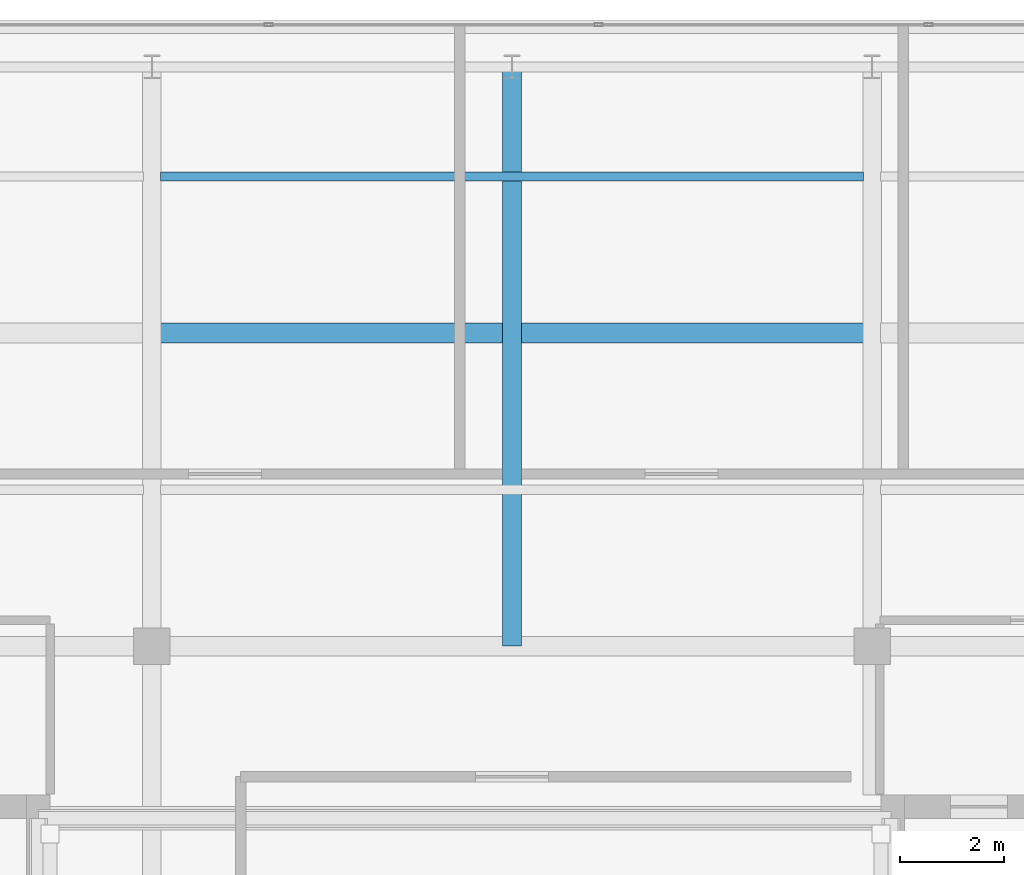
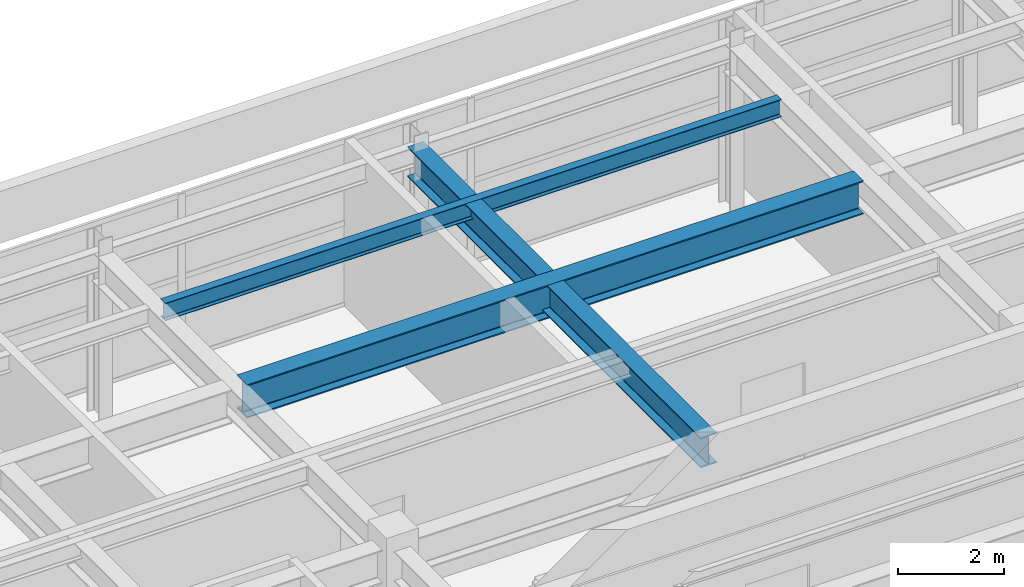
# One storey, part 24 of 33: 3 beams.
"""IFC4 building model written with IfcOpenShell, lengths in metres."""

import ifcopenshell
import ifcopenshell.guid

model = None  # the IFC model being written
_history = None  # IfcOwnerHistory: only IFC2X3 demands one
_inside = {}  # id of a spatial element -> (the spatial element, [elements in it])
_under = {}  # id of a project, library or spatial element -> (it, [spatial elements below it])
_declared = {}  # id of a project -> (the project, [libraries it declares])
_typed = {}  # id of a type object -> (the type object, [elements of that type])
_made_of = {}  # id of a material, layer set ... -> (it, [elements and type objects made of it])


def new_model(schema):
    """Start an empty IFC model of exactly this schema.

    Asked for "IFC4X3", IfcOpenShell would pick the latest addendum, in which some entities
    have other attributes; the version numbers below select the first issue.
    IFC2X3 requires an IfcOwnerHistory on every rooted entity: one is made here for all.
    """
    global model, _history
    if schema == "IFC4X3":
        model = ifcopenshell.file(schema_version=(4, 3, 0, 0))
    else:
        model = ifcopenshell.file(schema=schema)
    _inside.clear()
    _under.clear()
    _declared.clear()
    _typed.clear()
    _made_of.clear()
    _history = None
    if model.schema == "IFC2X3":
        org = make("IfcOrganization", Name="unknown")
        user = make(
            "IfcPersonAndOrganization",
            ThePerson=make("IfcPerson", FamilyName="unknown"),
            TheOrganization=org,
        )
        app = make(
            "IfcApplication",
            ApplicationDeveloper=org,
            Version="unknown",
            ApplicationFullName="unknown",
            ApplicationIdentifier="unknown",
        )
        _history = make(
            "IfcOwnerHistory",
            OwningUser=user,
            OwningApplication=app,
            ChangeAction="ADDED",
            CreationDate=0,
        )
    return model


def make(cls, **values):
    """One entity of the class cls with the attributes given. An attribute that is None is left unset."""
    return model.create_entity(
        cls, **{name: value for name, value in values.items() if value is not None}
    )


def rooted(cls, **values):
    """An entity with a GlobalId (a new one), such as an element, a storey or a relation."""
    return make(cls, GlobalId=ifcopenshell.guid.new(), OwnerHistory=_history, **values)


def si_unit(unit_type, name, prefix=None):
    """IfcSIUnit, for example si_unit("LENGTHUNIT", "METRE", prefix="MILLI")."""
    return make("IfcSIUnit", UnitType=unit_type, Prefix=prefix, Name=name)


def assignment(units):
    """IfcUnitAssignment: the units of a project."""
    return None if units is None else make("IfcUnitAssignment", Units=units)


def point(xyz):
    """IfcCartesianPoint."""
    return None if xyz is None else make("IfcCartesianPoint", Coordinates=xyz)


def direction(xyz):
    """IfcDirection."""
    return None if xyz is None else make("IfcDirection", DirectionRatios=xyz)


def frame(location, z_axis=None, x_axis=None):
    """IfcAxis2Placement3D, a coordinate frame: its origin and axes. An axis left out is left unset."""
    return make(
        "IfcAxis2Placement3D",
        Location=point(location),
        Axis=direction(z_axis),
        RefDirection=direction(x_axis),
    )


def frame_2d(location, x_axis=None):
    """IfcAxis2Placement2D, a coordinate frame in the plane: its origin and x axis."""
    return make(
        "IfcAxis2Placement2D", Location=point(location), RefDirection=direction(x_axis)
    )


def origin():
    """The frame at (0, 0, 0) with its axes left unset."""
    return frame((0.0, 0.0, 0.0))


def origin_2d():
    """The frame at (0, 0) in the plane with its x axis left unset."""
    return frame_2d((0.0, 0.0))


def place(relative_to, where):
    """IfcLocalPlacement: puts the frame where relative to a parent placement (None: the world)."""
    return make(
        "IfcLocalPlacement", PlacementRelTo=relative_to, RelativePlacement=where
    )


def context(
    kind, dimensions, precision=None, world=None, true_north=None, identifier=None
):
    """IfcGeometricRepresentationContext, for example the 3D "Model" context."""
    return make(
        "IfcGeometricRepresentationContext",
        ContextIdentifier=identifier,
        ContextType=kind,
        CoordinateSpaceDimension=dimensions,
        Precision=precision,
        WorldCoordinateSystem=world,
        TrueNorth=true_north,
    )


def subcontext(parent, identifier, kind, view, scale=None):
    """IfcGeometricRepresentationSubContext, for example "Body" below "Model"."""
    return make(
        "IfcGeometricRepresentationSubContext",
        ContextIdentifier=identifier,
        ContextType=kind,
        ParentContext=parent,
        TargetScale=scale,
        TargetView=view,
    )


def project(units=None, contexts=None):
    """IfcProject with its units and contexts."""
    return rooted(
        "IfcProject",
        Name="project",
        RepresentationContexts=contexts,
        UnitsInContext=assignment(units),
    )


def spatial(cls, under=None, at=None, **own):
    """A site, building, storey or space (cls), placed at a placement, below another one or the project."""
    s = rooted(cls, ObjectPlacement=at, **own)
    if under is not None:
        _under.setdefault(under.id(), (under, []))[1].append(s)
    return s


def profile(cls, at=None, kind="AREA", **sizes):
    """A parametric profile (cls). Its sizes go by their IFC names, for example OverallWidth=200.0."""
    return make(cls, ProfileType=kind, Position=at, **sizes)


def i_section(**sizes):
    """IfcIShapeProfileDef."""
    return profile("IfcIShapeProfileDef", **sizes)


def extrude(swept, where, along, depth):
    """IfcExtrudedAreaSolid: the profile swept, set in the frame where, extruded along a direction by depth."""
    return make(
        "IfcExtrudedAreaSolid",
        SweptArea=swept,
        Position=where,
        ExtrudedDirection=direction(along),
        Depth=depth,
    )


def shape(context_of_items, identifier, shape_type, items):
    """IfcShapeRepresentation: the items that make up one representation, for example the "Body"."""
    return make(
        "IfcShapeRepresentation",
        ContextOfItems=context_of_items,
        RepresentationIdentifier=identifier,
        RepresentationType=shape_type,
        Items=items,
    )


def source(mapping_origin, context_of_items, identifier, shape_type, items):
    """IfcRepresentationMap: a shape defined once, which mapped items show again and again."""
    return make(
        "IfcRepresentationMap",
        MappingOrigin=mapping_origin,
        MappedRepresentation=shape(context_of_items, identifier, shape_type, items),
    )


def transform(
    local_origin,
    x_axis=None,
    y_axis=None,
    z_axis=None,
    scale=None,
    scale2=None,
    scale3=None,
    uniform=True,
):
    """IfcCartesianTransformationOperator3D, or its non-uniform kind. x_axis, y_axis, z_axis: its Axis1, 2, 3."""
    if uniform:
        return make(
            "IfcCartesianTransformationOperator3D",
            Axis1=direction(x_axis),
            Axis2=direction(y_axis),
            LocalOrigin=point(local_origin),
            Scale=scale,
            Axis3=direction(z_axis),
        )
    return make(
        "IfcCartesianTransformationOperator3DnonUniform",
        Axis1=direction(x_axis),
        Axis2=direction(y_axis),
        LocalOrigin=point(local_origin),
        Scale=scale,
        Axis3=direction(z_axis),
        Scale2=scale2,
        Scale3=scale3,
    )


def mapped(mapping_source, mapping_target):
    """IfcMappedItem: shows the shape of a source again, moved by a transform."""
    return make(
        "IfcMappedItem", MappingSource=mapping_source, MappingTarget=mapping_target
    )


def material(Name=None, Category=None):
    """IfcMaterial."""
    return make("IfcMaterial", Name=Name, Category=Category)


def material_profile(
    of_material, cross_section, Name=None, Category=None, Priority=None
):
    """IfcMaterialProfile: a cross section and its material."""
    return make(
        "IfcMaterialProfile",
        Name=Name,
        Material=of_material,
        Profile=cross_section,
        Priority=Priority,
        Category=Category,
    )


def profile_set(profiles, Name=None, composite=None):
    """IfcMaterialProfileSet."""
    return make(
        "IfcMaterialProfileSet",
        Name=Name,
        MaterialProfiles=profiles,
        CompositeProfile=composite,
    )


def made_of(thing, what):
    """Note that an element or type object is made of a material, layer set ...; save() writes the relation."""
    if what is not None:
        _made_of.setdefault(what.id(), (what, []))[1].append(thing)
    return thing


def type_object(cls, material=None, **own):
    """A type object (cls), such as IfcWallType, which elements share."""
    return made_of(rooted(cls, **own), material)


def element(
    cls,
    number,
    at=None,
    inside=None,
    cuts=None,
    type_object=None,
    material=None,
    context=None,
    identifier="Body",
    shape_type=None,
    held_by="IfcProductDefinitionShape",
    body=None,
    shapes=None,
    **own,
):
    """One element of the class cls, such as IfcWall. Its Tag is "e" and its number.

    at: its placement. inside: the storey or other place that contains it. cuts: it is an
    opening in that element (IfcRelVoidsElement). A single representation is given by context,
    identifier, shape_type and body (its items); several are given by shapes. held_by: the class
    of the entity that holds the representations. save() writes the other relations.
    """
    e = rooted(cls, Tag="e%d" % number, ObjectPlacement=at, **own)
    if body is not None:
        shapes = [shape(context, identifier, shape_type, body)]
    if shapes is not None:
        e.Representation = make(held_by, Representations=shapes)
    if inside is not None:
        _inside.setdefault(inside.id(), (inside, []))[1].append(e)
    if cuts is not None:
        rooted(
            "IfcRelVoidsElement", RelatingBuildingElement=cuts, RelatedOpeningElement=e
        )
    if type_object is not None:
        _typed.setdefault(type_object.id(), (type_object, []))[1].append(e)
    return made_of(e, material)


def aggregate(whole, parts):
    """IfcRelAggregates: a whole, such as a stair, and the parts it consists of."""
    return rooted("IfcRelAggregates", RelatingObject=whole, RelatedObjects=parts)


def save(model, path):
    """Write the relations noted so far, then the file.

    IfcRelAggregates (storeys below a building ...), IfcRelContainedInSpatialStructure (elements
    in a storey), IfcRelDefinesByType, IfcRelAssociatesMaterial and IfcRelDeclares: one each for
    every whole, place, type object, material and project.
    """
    for whole, parts in _under.values():
        aggregate(whole, parts)
    for where, things in _inside.values():
        rooted(
            "IfcRelContainedInSpatialStructure",
            RelatedElements=things,
            RelatingStructure=where,
        )
    for kind, things in _typed.values():
        rooted("IfcRelDefinesByType", RelatedObjects=things, RelatingType=kind)
    for what, things in _made_of.values():
        rooted("IfcRelAssociatesMaterial", RelatedObjects=things, RelatingMaterial=what)
    for by, libraries in _declared.values():
        rooted("IfcRelDeclares", RelatingContext=by, RelatedDefinitions=libraries)
    model.write(path)


model = new_model("IFC4")

# Units and contexts
model_context = context("Model", 3, precision=1e-05, world=origin(), true_north=direction((0.0, 1.0)))
body_context = subcontext(model_context, "Body", "Model", "MODEL_VIEW")
ifc_project = project(units=[si_unit("LENGTHUNIT", "METRE"), si_unit("AREAUNIT", "SQUARE_METRE"), si_unit("VOLUMEUNIT", "CUBIC_METRE"), si_unit("PLANEANGLEUNIT", "RADIAN"), si_unit("MASSUNIT", "GRAM", prefix="KILO")], contexts=[model_context])

# Site, building, storey
site_placement = place(None, origin())
site = spatial("IfcSite", under=ifc_project, at=site_placement, CompositionType="ELEMENT")
building_placement = place(site_placement, origin())
building = spatial("IfcBuilding", under=site, at=building_placement, Name="Khoralis Quay Care Tower", CompositionType="ELEMENT")
storey_placement = place(building_placement, frame((0.0, 0.0, 314.699951171875)))
storey = spatial("IfcBuildingStorey", under=building, at=storey_placement, Name="L82", CompositionType="ELEMENT", Elevation=314.699951171875)

# Beams
ifc_material = material(Name="Steel S355", Category="steel")
ifc_material_profile_1 = material_profile(ifc_material, i_section(OverallWidth=0.381103515625, OverallDepth=0.77294921875, WebThickness=0.0166015625, FlangeThickness=0.027587890625, FilletRadius=0.02197265625, at=origin_2d()), Name="Steel S355")
ifc_profile_set_1 = profile_set([ifc_material_profile_1], Name="Steel S355")
beam_type_1 = type_object("IfcBeamType", Name="BM-W760X257", PredefinedType="BEAM", material=ifc_profile_set_1)
shared_shape_1 = source(origin(), body_context, "Body", "SweptSolid", [
    extrude(i_section(OverallWidth=0.381103515625, OverallDepth=0.77294921875, WebThickness=0.0166015625, FlangeThickness=0.027587890625, FilletRadius=0.02197265625, at=origin_2d()), origin(), (0.0, 0.0, 1.0), 13.46923828125),
])
beam_1_placement = place(storey_placement, frame((17.265380859375, 36.0, 3.45361328125), z_axis=(1.0, 0.0, 0.0), x_axis=(0.0, 1.0, 0.0)))
element("IfcBeam", 1, at=beam_1_placement, inside=storey, type_object=beam_type_1, Name="BM-TGCC-L82-360", PredefinedType="BEAM", context=body_context, shape_type="MappedRepresentation", body=[
    mapped(shared_shape_1, transform((0.0, 0.0, 0.0), scale=1.0)),
])
ifc_material_profile_2 = material_profile(ifc_material, i_section(OverallWidth=0.35498046875, OverallDepth=0.695068359375, WebThickness=0.015380859375, FlangeThickness=0.02490234375, FilletRadius=0.02001953125, at=origin_2d()), Name="Steel S355")
ifc_profile_set_2 = profile_set([ifc_material_profile_2], Name="Steel S355")
beam_type_2 = type_object("IfcBeamType", Name="BM-W690X217", PredefinedType="BEAM", material=ifc_profile_set_2)
shared_shape_2 = source(origin(), body_context, "Body", "SweptSolid", [
    extrude(i_section(OverallWidth=0.35498046875, OverallDepth=0.695068359375, WebThickness=0.015380859375, FlangeThickness=0.02490234375, FilletRadius=0.02001953125, at=origin_2d()), origin(), (0.0, 0.0, 1.0), 11.10009765625),
])
beam_2_placement = place(storey_placement, frame((24.0, 30.0, 3.492431640625), z_axis=(0.0, 1.0, 0.0), x_axis=(-1.0, 0.0, 0.0)))
element("IfcBeam", 2, at=beam_2_placement, inside=storey, type_object=beam_type_2, Name="BM-TGYN-L82-240", PredefinedType="BEAM", context=body_context, shape_type="MappedRepresentation", body=[
    mapped(shared_shape_2, transform((0.0, 0.0, 0.0), scale=1.0)),
])
ifc_material_profile_3 = material_profile(ifc_material, i_section(OverallWidth=0.177978515625, OverallDepth=0.406982421875, WebThickness=0.0078125, FlangeThickness=0.0126953125, FilletRadius=0.012939453125, at=origin_2d()), Name="Steel S355")
ifc_profile_set_3 = profile_set([ifc_material_profile_3], Name="Steel S355")
beam_type_3 = type_object("IfcBeamType", Name="BM-W410X60", PredefinedType="JOIST", material=ifc_profile_set_3)
shared_shape_3 = source(origin(), body_context, "Body", "SweptSolid", [
    extrude(i_section(OverallWidth=0.177978515625, OverallDepth=0.406982421875, WebThickness=0.0078125, FlangeThickness=0.0126953125, FilletRadius=0.012939453125, at=origin_2d()), origin(), (0.0, 0.0, 1.0), 13.46923828125),
])
beam_3_placement = place(storey_placement, frame((17.265380859375, 39.0, 3.636474609375), z_axis=(1.0, 0.0, 0.0), x_axis=(0.0, 1.0, 0.0)))
element("IfcBeam", 3, at=beam_3_placement, inside=storey, type_object=beam_type_3, Name="BM-TJS-L82-29", PredefinedType="JOIST", context=body_context, shape_type="MappedRepresentation", body=[
    mapped(shared_shape_3, transform((0.0, 0.0, 0.0), scale=1.0)),
])

save(model, "model.ifc")
